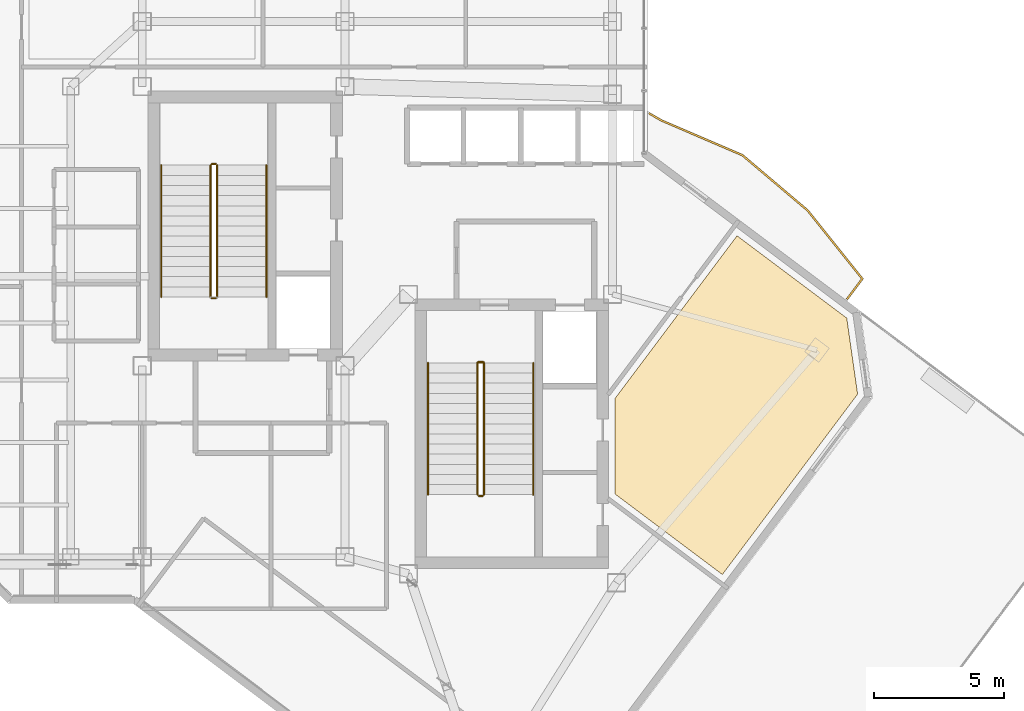
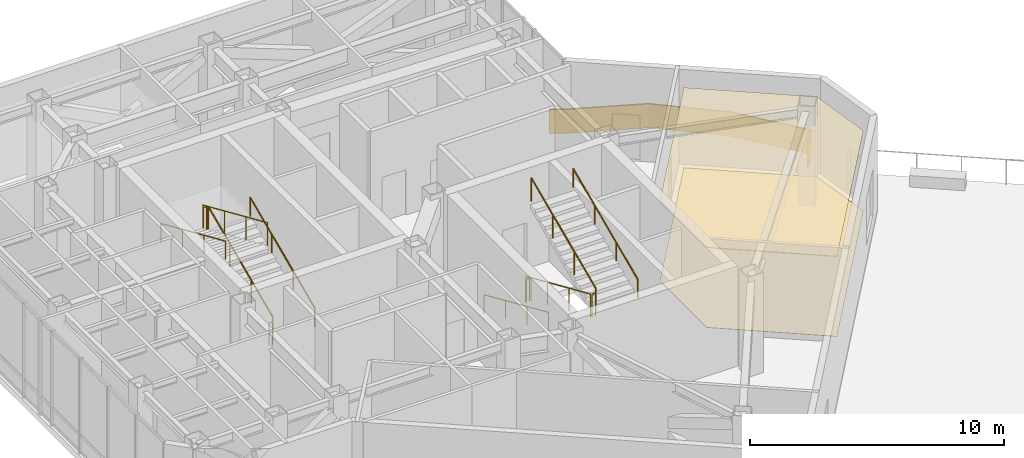
# One storey, part 20 of 21: 14 railings, 2 coverings.
"""IFC4 building model written with IfcOpenShell, lengths in metres."""

from ifc_helpers import new_model, si_unit, direction, frame, origin, origin_2d, place, context, subcontext, project, spatial, polyline, circle, outline, extrude, material, layer, layer_set, type_object, element, save


model = new_model("IFC4")

# Units and contexts
model_context = context("Model", 3, precision=1e-05, world=origin(), true_north=direction((0.0, 1.0)))
body_context = subcontext(model_context, "Body", "Model", "MODEL_VIEW")
ifc_project = project(units=[si_unit("LENGTHUNIT", "METRE"), si_unit("AREAUNIT", "SQUARE_METRE"), si_unit("VOLUMEUNIT", "CUBIC_METRE"), si_unit("PLANEANGLEUNIT", "RADIAN"), si_unit("MASSUNIT", "GRAM", prefix="KILO")], contexts=[model_context])

# Site, building, storey
site_placement = place(None, origin())
site = spatial("IfcSite", under=ifc_project, at=site_placement, CompositionType="ELEMENT")
building_placement = place(site_placement, origin())
building = spatial("IfcBuilding", under=site, at=building_placement, Name="Hatsunagi Terrace Concourse", CompositionType="ELEMENT")
storey_placement = place(building_placement, frame((0.0, 0.0, 234.75)))
storey = spatial("IfcBuildingStorey", under=building, at=storey_placement, Name="L62", CompositionType="ELEMENT", Elevation=234.75)

# Railing
ifc_material_1 = material(Name="Laminated Glass and Stainless Steel Guard", Category="steel")
ifc_layer_1 = layer(ifc_material_1, 0.070068359375)
ifc_layer_set_1 = layer_set([ifc_layer_1], Name="BalconyGlassGuardRail_1150")
railing_type_1 = type_object("IfcRailingType", Name="BalconyGlassGuardRail_1150", PredefinedType="BALUSTRADE", material=ifc_layer_set_1)
railing_1_placement = place(storey_placement, origin())
element("IfcRailing", 1, at=railing_1_placement, inside=storey, type_object=railing_type_1, Name="Engawa Balcony Guard GRD-01 L62-BSE-1", PredefinedType="BALUSTRADE", context=body_context, shape_type="SweptSolid", body=[
    extrude(outline(polyline([(45.0634765625, 42.30224609375), (45.028564453125, 42.24169921875), (45.515380859375, 41.961669921875), (48.62841796875, 40.6259765625), (51.134765625, 38.50244140625), (53.2177734375, 35.898193359375), (52.64208984375, 35.131103515625), (52.697998046875, 35.089111328125), (53.306396484375, 35.899658203125), (51.185302734375, 38.551513671875), (48.66552734375, 40.68603515625), (45.546630859375, 42.0244140625), (45.0634765625, 42.30224609375)])), origin(), (0.0, 0.0, 1.0), 1.14990234375),
])

# Covering
ifc_material_2 = material(Name="Hardwood timber", Category="wood")
ifc_layer_2 = layer(ifc_material_2, 0.014892578125)
ifc_layer_set_2 = layer_set([ifc_layer_2], Name="HardwoodTimberFlooring_15")
covering_type_1 = type_object("IfcCoveringType", Name="HardwoodTimberFlooring_15", PredefinedType="FLOORING", material=ifc_layer_set_2)
covering_1_placement = place(storey_placement, origin())
element("IfcCovering", 2, at=covering_1_placement, inside=storey, type_object=covering_type_1, Name="Finished Flooring L62-1", PredefinedType="FLOORING", context=body_context, shape_type="SweptSolid", body=[
    extrude(outline(polyline([(52.666015625, 34.387939453125), (48.44189453125, 37.555908203125), (43.75, 31.300048828125), (43.75, 27.613037109375), (47.8759765625, 24.51806640625), (53.083984375, 31.4619140625), (52.666015625, 34.387939453125)])), origin(), (0.0, 0.0, 1.0), 0.014892578125),
])

# Railings
ifc_material_3 = material(Name="Stainless steel", Category="steel")
ifc_layer_3 = layer(ifc_material_3, 0.044921875)
ifc_layer_set_3 = layer_set([ifc_layer_3], Name="StairPitchHandrail_Tower2000")
railing_type_2 = type_object("IfcRailingType", Name="StairPitchHandrail_Tower2000", PredefinedType="HANDRAIL", material=ifc_layer_set_3)
railing_2_placement = place(storey_placement, frame((30.330078125, 35.199951171875, 0.17138671875)))
element("IfcRailing", 3, at=railing_2_placement, inside=storey, type_object=railing_type_2, Name="L62 ST-A stair handrail 1", PredefinedType="HANDRAIL", context=body_context, shape_type="SweptSolid", body=[
    extrude(circle(Radius=0.02392578125, at=origin_2d()), frame((0.0, 0.0, 0.8759765625), z_axis=(0.0, 0.915469019145, 0.40238846279), x_axis=(-1.0, 0.0, 0.0)), (0.0, 0.0, 1.0), 5.538330078125),
    extrude(circle(Radius=0.02099609375, at=origin_2d()), origin(), (0.0, 0.0, 1.0), 0.851806640625),
    extrude(circle(Radius=0.02099609375, at=origin_2d()), frame((0.0, 1.68994140625, 0.742919921875)), (0.0, 0.0, 1.0), 0.851806640625),
    extrude(circle(Radius=0.02099609375, at=origin_2d()), frame((0.0, 3.380126953125, 1.485595703125)), (0.0, 0.0, 1.0), 0.851806640625),
    extrude(circle(Radius=0.02099609375, at=origin_2d()), frame((0.0, 5.070068359375, 2.228515625)), (0.0, 0.0, 1.0), 0.851806640625),
])
railing_3_placement = place(storey_placement, frame((26.280029296875, 40.27001953125, 2.571533203125)))
element("IfcRailing", 4, at=railing_3_placement, inside=storey, type_object=railing_type_2, Name="L62 ST-A stair handrail 2", PredefinedType="HANDRAIL", context=body_context, shape_type="SweptSolid", body=[
    extrude(circle(Radius=0.02392578125, at=origin_2d()), frame((0.0, 0.0, 0.8759765625), z_axis=(0.0, -0.915469019145, 0.40238846279), x_axis=(1.0, 0.0, 0.0)), (0.0, 0.0, 1.0), 5.538330078125),
    extrude(circle(Radius=0.02099609375, at=origin_2d()), origin(), (0.0, 0.0, 1.0), 0.851806640625),
    extrude(circle(Radius=0.02099609375, at=origin_2d()), frame((0.0, -1.68994140625, 0.742919921875)), (0.0, 0.0, 1.0), 0.851806640625),
    extrude(circle(Radius=0.02099609375, at=origin_2d()), frame((0.0, -3.380126953125, 1.485595703125)), (0.0, 0.0, 1.0), 0.851806640625),
    extrude(circle(Radius=0.02099609375, at=origin_2d()), frame((0.0, -5.070068359375, 2.228515625)), (0.0, 0.0, 1.0), 0.851806640625),
])
railing_4_placement = place(storey_placement, frame((36.550048828125, 32.659912109375, 0.17138671875)))
element("IfcRailing", 5, at=railing_4_placement, inside=storey, type_object=railing_type_2, Name="L62 ST-B stair handrail 1", PredefinedType="HANDRAIL", context=body_context, shape_type="SweptSolid", body=[
    extrude(circle(Radius=0.02392578125, at=origin_2d()), frame((0.0, 0.0, 0.8759765625), z_axis=(0.0, -0.915461880969, 0.402404702373), x_axis=(1.0, 0.0, 0.0)), (0.0, 0.0, 1.0), 5.5380859375),
    extrude(circle(Radius=0.02099609375, at=origin_2d()), origin(), (0.0, 0.0, 1.0), 0.851806640625),
    extrude(circle(Radius=0.02099609375, at=origin_2d()), frame((0.0, -1.68994140625, 0.742919921875)), (0.0, 0.0, 1.0), 0.851806640625),
    extrude(circle(Radius=0.02099609375, at=origin_2d()), frame((0.0, -3.3798828125, 1.485595703125)), (0.0, 0.0, 1.0), 0.851806640625),
    extrude(circle(Radius=0.02099609375, at=origin_2d()), frame((0.0, -5.06982421875, 2.228515625)), (0.0, 0.0, 1.0), 0.851806640625),
])
railing_5_placement = place(storey_placement, frame((40.60009765625, 27.590087890625, 2.571533203125)))
element("IfcRailing", 6, at=railing_5_placement, inside=storey, type_object=railing_type_2, Name="L62 ST-B stair handrail 2", PredefinedType="HANDRAIL", context=body_context, shape_type="SweptSolid", body=[
    extrude(circle(Radius=0.02392578125, at=origin_2d()), frame((0.0, 0.0, 0.8759765625), z_axis=(0.0, 0.915461880969, 0.402404702373), x_axis=(-1.0, 0.0, 0.0)), (0.0, 0.0, 1.0), 5.5380859375),
    extrude(circle(Radius=0.02099609375, at=origin_2d()), origin(), (0.0, 0.0, 1.0), 0.851806640625),
    extrude(circle(Radius=0.02099609375, at=origin_2d()), frame((0.0, 1.68994140625, 0.742919921875)), (0.0, 0.0, 1.0), 0.851806640625),
    extrude(circle(Radius=0.02099609375, at=origin_2d()), frame((0.0, 3.3798828125, 1.485595703125)), (0.0, 0.0, 1.0), 0.851806640625),
    extrude(circle(Radius=0.02099609375, at=origin_2d()), frame((0.0, 5.06982421875, 2.228515625)), (0.0, 0.0, 1.0), 0.851806640625),
])
ifc_material_4 = material(Name="Stainless steel", Category="steel")
ifc_layer_4 = layer(ifc_material_4, 0.06005859375)
ifc_layer_set_4 = layer_set([ifc_layer_4], Name="StairWellGuard_Tower2000")
railing_type_3 = type_object("IfcRailingType", Name="StairWellGuard_Tower2000", PredefinedType="BALUSTRADE", material=ifc_layer_set_4)
railing_6_placement = place(storey_placement, frame((28.429931640625, 35.199951171875, 0.17138671875)))
element("IfcRailing", 7, at=railing_6_placement, inside=storey, type_object=railing_type_3, Name="L62 ST-A stair guard 1", PredefinedType="BALUSTRADE", context=body_context, shape_type="SweptSolid", body=[
    extrude(circle(Radius=0.02392578125, at=origin_2d()), frame((0.0, 0.0, 1.09619140625), z_axis=(0.0, 0.915469019145, 0.40238846279), x_axis=(-1.0, 0.0, 0.0)), (0.0, 0.0, 1.0), 5.538330078125),
    extrude(circle(Radius=0.02099609375, at=origin_2d()), origin(), (0.0, 0.0, 1.0), 1.072021484375),
    extrude(circle(Radius=0.02099609375, at=origin_2d()), frame((0.0, 1.68994140625, 0.742919921875)), (0.0, 0.0, 1.0), 1.072021484375),
    extrude(circle(Radius=0.02099609375, at=origin_2d()), frame((0.0, 3.380126953125, 1.485595703125)), (0.0, 0.0, 1.0), 1.072021484375),
    extrude(circle(Radius=0.02099609375, at=origin_2d()), frame((0.0, 5.070068359375, 2.228515625)), (0.0, 0.0, 1.0), 1.072021484375),
])
railing_7_placement = place(storey_placement, frame((28.3798828125, 40.320068359375, 2.39990234375)))
element("IfcRailing", 8, at=railing_7_placement, inside=storey, type_object=railing_type_3, Name="L62 ST-A stair guard 2", PredefinedType="BALUSTRADE", context=body_context, shape_type="SweptSolid", body=[
    extrude(circle(Radius=0.02392578125, at=origin_2d()), frame((0.0, 0.0, 1.09619140625), z_axis=(-1.0, 0.0, 0.0), x_axis=(0.0, -1.0, 0.0)), (0.0, 0.0, 1.0), 0.14990234375),
    extrude(circle(Radius=0.02099609375, at=origin_2d()), origin(), (0.0, 0.0, 1.0), 1.072021484375),
    extrude(circle(Radius=0.02099609375, at=origin_2d()), frame((-0.14990234375, 0.0, 0.0)), (0.0, 0.0, 1.0), 1.072021484375),
])
railing_8_placement = place(storey_placement, frame((28.179931640625, 40.27001953125, 2.571533203125)))
element("IfcRailing", 9, at=railing_8_placement, inside=storey, type_object=railing_type_3, Name="L62 ST-A stair guard 3", PredefinedType="BALUSTRADE", context=body_context, shape_type="SweptSolid", body=[
    extrude(circle(Radius=0.02392578125, at=origin_2d()), frame((0.0, 0.0, 1.09619140625), z_axis=(0.0, -0.915469019145, 0.40238846279), x_axis=(1.0, 0.0, 0.0)), (0.0, 0.0, 1.0), 5.538330078125),
    extrude(circle(Radius=0.02099609375, at=origin_2d()), origin(), (0.0, 0.0, 1.0), 1.072021484375),
    extrude(circle(Radius=0.02099609375, at=origin_2d()), frame((0.0, -1.68994140625, 0.742919921875)), (0.0, 0.0, 1.0), 1.072021484375),
    extrude(circle(Radius=0.02099609375, at=origin_2d()), frame((0.0, -3.380126953125, 1.485595703125)), (0.0, 0.0, 1.0), 1.072021484375),
    extrude(circle(Radius=0.02099609375, at=origin_2d()), frame((0.0, -5.070068359375, 2.228515625)), (0.0, 0.0, 1.0), 1.072021484375),
])
railing_9_placement = place(storey_placement, frame((28.3798828125, 35.14990234375, 0.0)))
element("IfcRailing", 10, at=railing_9_placement, inside=storey, type_object=railing_type_3, Name="L62 ST-A stair guard 4", PredefinedType="BALUSTRADE", context=body_context, shape_type="SweptSolid", body=[
    extrude(circle(Radius=0.02392578125, at=origin_2d()), frame((0.0, 0.0, 1.09619140625), z_axis=(-1.0, 0.0, 0.0), x_axis=(0.0, -1.0, 0.0)), (0.0, 0.0, 1.0), 0.14990234375),
    extrude(circle(Radius=0.02099609375, at=origin_2d()), origin(), (0.0, 0.0, 1.0), 1.072021484375),
    extrude(circle(Radius=0.02099609375, at=origin_2d()), frame((-0.14990234375, 0.0, 0.0)), (0.0, 0.0, 1.0), 1.072021484375),
])
railing_10_placement = place(storey_placement, frame((38.449951171875, 32.659912109375, 0.17138671875)))
element("IfcRailing", 11, at=railing_10_placement, inside=storey, type_object=railing_type_3, Name="L62 ST-B stair guard 1", PredefinedType="BALUSTRADE", context=body_context, shape_type="SweptSolid", body=[
    extrude(circle(Radius=0.02392578125, at=origin_2d()), frame((0.0, 0.0, 1.09619140625), z_axis=(0.0, -0.915461880969, 0.402404702373), x_axis=(1.0, 0.0, 0.0)), (0.0, 0.0, 1.0), 5.5380859375),
    extrude(circle(Radius=0.02099609375, at=origin_2d()), origin(), (0.0, 0.0, 1.0), 1.072021484375),
    extrude(circle(Radius=0.02099609375, at=origin_2d()), frame((0.0, -1.68994140625, 0.742919921875)), (0.0, 0.0, 1.0), 1.072021484375),
    extrude(circle(Radius=0.02099609375, at=origin_2d()), frame((0.0, -3.3798828125, 1.485595703125)), (0.0, 0.0, 1.0), 1.072021484375),
    extrude(circle(Radius=0.02099609375, at=origin_2d()), frame((0.0, -5.06982421875, 2.228515625)), (0.0, 0.0, 1.0), 1.072021484375),
])
railing_11_placement = place(storey_placement, frame((38.5, 27.5400390625, 2.39990234375)))
element("IfcRailing", 12, at=railing_11_placement, inside=storey, type_object=railing_type_3, Name="L62 ST-B stair guard 2", PredefinedType="BALUSTRADE", context=body_context, shape_type="SweptSolid", body=[
    extrude(circle(Radius=0.02392578125, at=origin_2d()), frame((0.0, 0.0, 1.09619140625), z_axis=(1.0, 0.0, 0.0), x_axis=(0.0, 1.0, 0.0)), (0.0, 0.0, 1.0), 0.14990234375),
    extrude(circle(Radius=0.02099609375, at=origin_2d()), origin(), (0.0, 0.0, 1.0), 1.072021484375),
    extrude(circle(Radius=0.02099609375, at=origin_2d()), frame((0.14990234375, 0.0, 0.0)), (0.0, 0.0, 1.0), 1.072021484375),
])
railing_12_placement = place(storey_placement, frame((38.699951171875, 27.590087890625, 2.571533203125)))
element("IfcRailing", 13, at=railing_12_placement, inside=storey, type_object=railing_type_3, Name="L62 ST-B stair guard 3", PredefinedType="BALUSTRADE", context=body_context, shape_type="SweptSolid", body=[
    extrude(circle(Radius=0.02392578125, at=origin_2d()), frame((0.0, 0.0, 1.09619140625), z_axis=(0.0, 0.915461880969, 0.402404702373), x_axis=(-1.0, 0.0, 0.0)), (0.0, 0.0, 1.0), 5.5380859375),
    extrude(circle(Radius=0.02099609375, at=origin_2d()), origin(), (0.0, 0.0, 1.0), 1.072021484375),
    extrude(circle(Radius=0.02099609375, at=origin_2d()), frame((0.0, 1.68994140625, 0.742919921875)), (0.0, 0.0, 1.0), 1.072021484375),
    extrude(circle(Radius=0.02099609375, at=origin_2d()), frame((0.0, 3.3798828125, 1.485595703125)), (0.0, 0.0, 1.0), 1.072021484375),
    extrude(circle(Radius=0.02099609375, at=origin_2d()), frame((0.0, 5.06982421875, 2.228515625)), (0.0, 0.0, 1.0), 1.072021484375),
])
railing_13_placement = place(storey_placement, frame((38.5, 32.7099609375, 0.0)))
element("IfcRailing", 14, at=railing_13_placement, inside=storey, type_object=railing_type_3, Name="L62 ST-B stair guard 4", PredefinedType="BALUSTRADE", context=body_context, shape_type="SweptSolid", body=[
    extrude(circle(Radius=0.02392578125, at=origin_2d()), frame((0.0, 0.0, 1.09619140625), z_axis=(1.0, 0.0, 0.0), x_axis=(0.0, 1.0, 0.0)), (0.0, 0.0, 1.0), 0.14990234375),
    extrude(circle(Radius=0.02099609375, at=origin_2d()), origin(), (0.0, 0.0, 1.0), 1.072021484375),
    extrude(circle(Radius=0.02099609375, at=origin_2d()), frame((0.14990234375, 0.0, 0.0)), (0.0, 0.0, 1.0), 1.072021484375),
])
ifc_material_5 = material(Name="Stainless Steel SUS316 Post-and-Rail Guard", Category="steel")
ifc_layer_5 = layer(ifc_material_5, 0.080078125)
ifc_layer_set_5 = layer_set([ifc_layer_5], Name="TerracePlantedGuardRail_1200")
railing_type_4 = type_object("IfcRailingType", Name="TerracePlantedGuardRail_1200", PredefinedType="GUARDRAIL", material=ifc_layer_set_5)
railing_14_placement = place(storey_placement, frame((38.449951171875, 32.679931640625, 0.0)))
element("IfcRailing", 15, at=railing_14_placement, inside=storey, type_object=railing_type_4, Name="Stair ST-B Well Closure Guard L62", PredefinedType="GUARDRAIL", context=body_context, shape_type="SweptSolid", body=[
    extrude(circle(Radius=0.02392578125, at=origin_2d()), frame((0.0, 0.0, 1.09619140625), z_axis=(1.0, 0.0, 0.0), x_axis=(0.0, 1.0, 0.0)), (0.0, 0.0, 1.0), 0.25),
    extrude(circle(Radius=0.02099609375, at=origin_2d()), origin(), (0.0, 0.0, 1.0), 1.072021484375),
    extrude(circle(Radius=0.02099609375, at=origin_2d()), frame((0.25, 0.0, 0.0)), (0.0, 0.0, 1.0), 1.072021484375),
])

# Covering
ifc_material_6 = material(Name="Hardwood timber", Category="wood")
ifc_layer_6 = layer(ifc_material_6, 0.034912109375)
ifc_layer_set_6 = layer_set([ifc_layer_6], Name="TimberBaffleCeiling_35")
covering_type_2 = type_object("IfcCoveringType", Name="TimberBaffleCeiling_35", PredefinedType="CEILING", material=ifc_layer_set_6)
covering_2_placement = place(storey_placement, frame((0.0, 0.0, 3.830078125)))
element("IfcCovering", 16, at=covering_2_placement, inside=storey, type_object=covering_type_2, Name="Suspended Ceiling L62-1", PredefinedType="CEILING", context=body_context, shape_type="SweptSolid", body=[
    extrude(outline(polyline([(52.666015625, 34.387939453125), (48.44189453125, 37.555908203125), (43.75, 31.300048828125), (43.75, 27.613037109375), (47.8759765625, 24.51806640625), (53.083984375, 31.4619140625), (52.666015625, 34.387939453125)])), origin(), (0.0, 0.0, 1.0), 0.034912109375),
])

save(model, "model.ifc")
